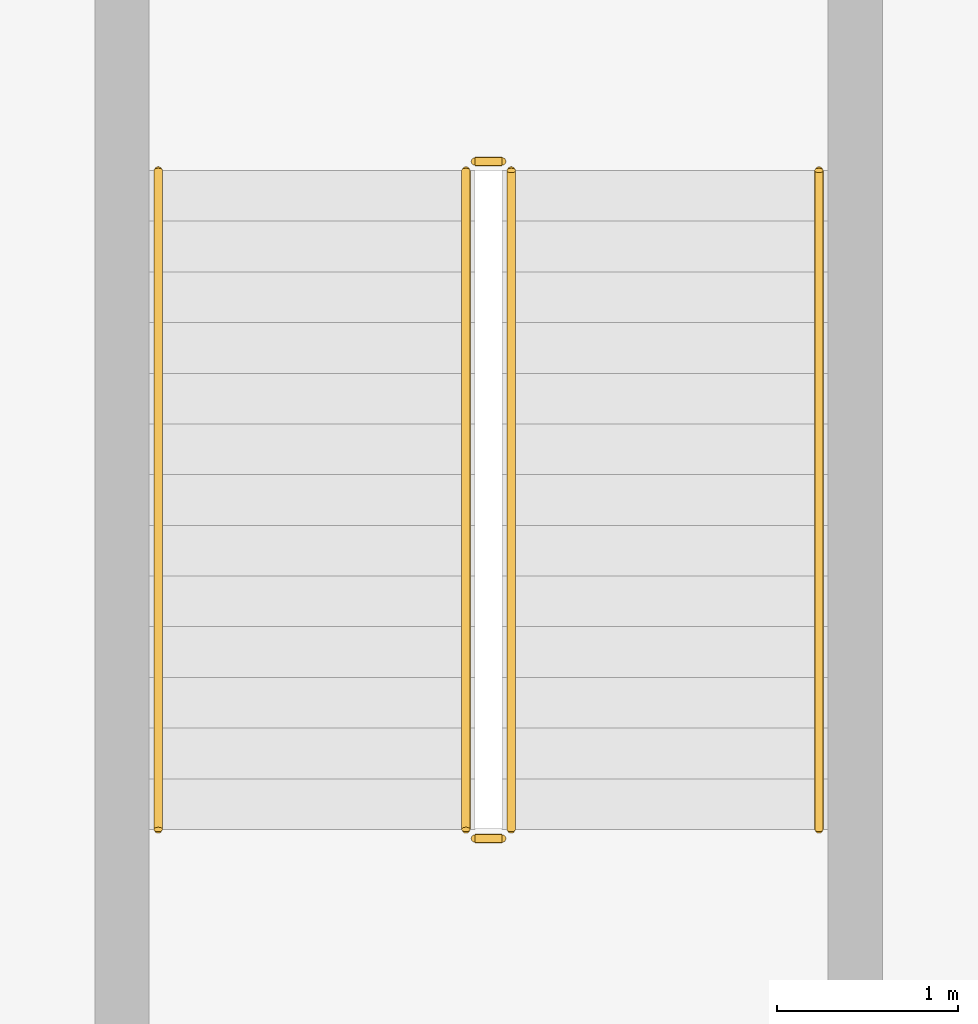
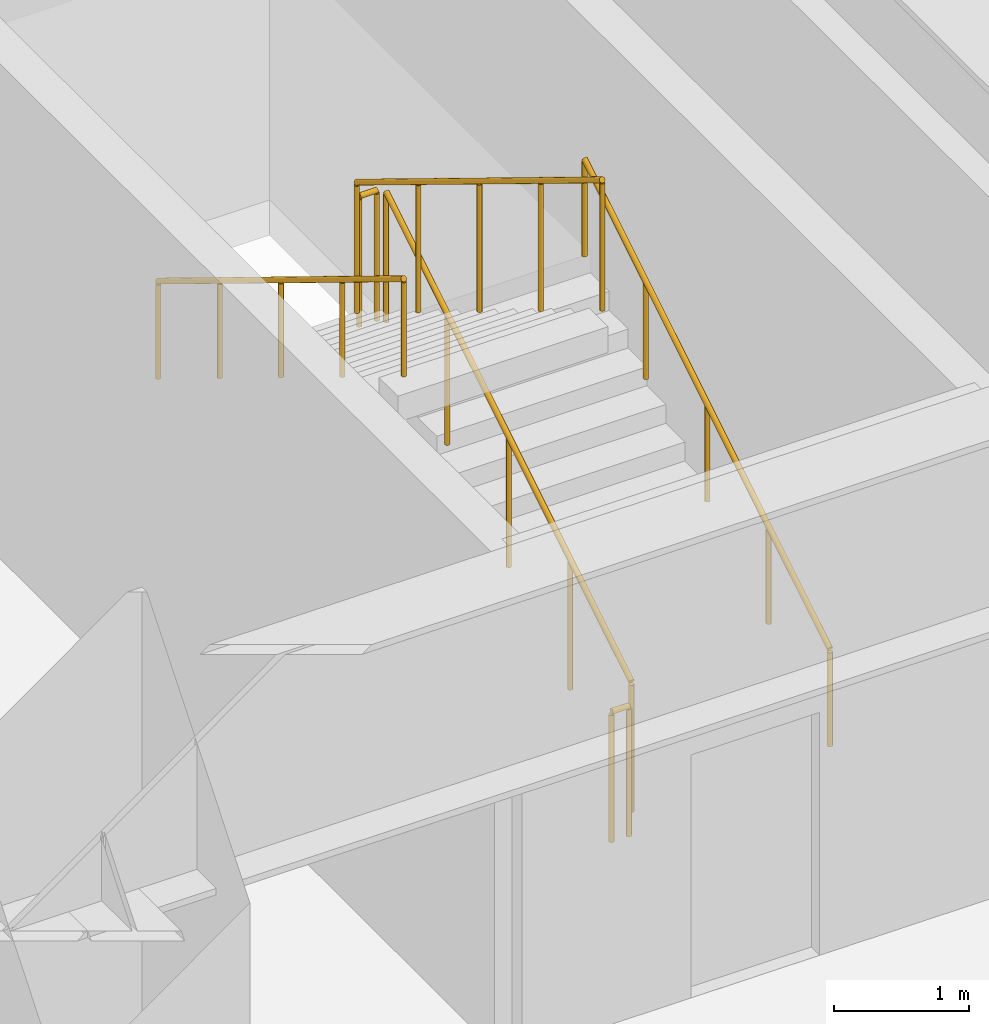
# One storey, part 12 of 13: 6 railings.
"""IFC4 building model written with IfcOpenShell, lengths in metres."""

from ifc_helpers import new_model, si_unit, direction, frame, origin, origin_2d, place, context, subcontext, project, spatial, circle, extrude, source, transform, mapped, material, type_object, element, save


model = new_model("IFC4")

# Units and contexts
model_context = context("Model", 3, precision=1e-05, world=origin(), true_north=direction((0.0, 1.0)))
body_context = subcontext(model_context, "Body", "Model", "MODEL_VIEW")
ifc_project = project(units=[si_unit("LENGTHUNIT", "METRE"), si_unit("AREAUNIT", "SQUARE_METRE"), si_unit("VOLUMEUNIT", "CUBIC_METRE"), si_unit("PLANEANGLEUNIT", "RADIAN"), si_unit("MASSUNIT", "GRAM", prefix="KILO")], contexts=[model_context])

# Site, building, storey
site_placement = place(None, origin())
site = spatial("IfcSite", under=ifc_project, at=site_placement, CompositionType="ELEMENT")
building_placement = place(site_placement, origin())
building = spatial("IfcBuilding", under=site, at=building_placement, Name="Khorayat Bourse Tower", CompositionType="ELEMENT")
storey_placement = place(building_placement, frame((0.0, 0.0, -4.800048828125)))
storey = spatial("IfcBuildingStorey", under=building, at=storey_placement, Name="B01", CompositionType="ELEMENT", Elevation=-4.800048828125)

# Railings
ifc_material_1 = material(Name="Powder-coated steel balustrade", Category="steel")
railing_type_1 = type_object("IfcRailingType", Name="RLG-GUARD-1200", PredefinedType="GUARDRAIL", material=ifc_material_1)
shared_shape_1 = source(origin(), body_context, "Body", "SweptSolid", [
    extrude(circle(Radius=0.02392578125, at=origin_2d()), frame((0.0, 0.0, 1.17578125), z_axis=(-1.0, 0.0, 0.0), x_axis=(0.0, -1.0, 0.0)), (0.0, 0.0, 1.0), 0.14990234375),
    extrude(circle(Radius=0.02099609375, at=origin_2d()), origin(), (0.0, 0.0, 1.0), 1.15185546875),
    extrude(circle(Radius=0.02099609375, at=origin_2d()), frame((-0.14990234375, 0.0, 0.0)), (0.0, 0.0, 1.0), 1.15185546875),
])
for number, where, name in (
    (1, (27.75, -18.110107421875, 2.400146484375), "B01 ST-P2 stair guard 2"),
    (2, (27.75, -21.85009765625, 0.0), "B01 ST-P2 stair guard 4"),
):
    element("IfcRailing", number, at=place(storey_placement, frame(where)), inside=storey, type_object=railing_type_1, Name=name, PredefinedType="GUARDRAIL", context=body_context, shape_type="MappedRepresentation", body=[
        mapped(shared_shape_1, transform((0.0, 0.0, 0.0), scale=1.0)),
    ])
shared_shape_2 = source(origin(), body_context, "Body", "SweptSolid", [
    extrude(circle(Radius=0.02392578125, at=origin_2d()), frame((0.0, 0.0, 1.17578125), z_axis=(0.0, -0.852865859571, 0.52213008492), x_axis=(1.0, 0.0, 0.0)), (0.0, 0.0, 1.0), 4.26806640625),
    extrude(circle(Radius=0.02099609375, at=origin_2d()), origin(), (0.0, 0.0, 1.0), 1.15185546875),
    extrude(circle(Radius=0.02099609375, at=origin_2d()), frame((0.0, -0.91015625, 0.55712890625)), (0.0, 0.0, 1.0), 1.15185546875),
    extrude(circle(Radius=0.02099609375, at=origin_2d()), frame((0.0, -1.820068359375, 1.1142578125)), (0.0, 0.0, 1.0), 1.15185546875),
    extrude(circle(Radius=0.02099609375, at=origin_2d()), frame((0.0, -2.72998046875, 1.67138671875)), (0.0, 0.0, 1.0), 1.15185546875),
    extrude(circle(Radius=0.02099609375, at=origin_2d()), frame((0.0, -3.64013671875, 2.228515625)), (0.0, 0.0, 1.0), 1.15185546875),
])
railing_1_placement = place(storey_placement, frame((27.550048828125, -18.159912109375, 2.571533203125)))
element("IfcRailing", 3, at=railing_1_placement, inside=storey, type_object=railing_type_1, Name="B01 ST-P2 stair guard 3", PredefinedType="GUARDRAIL", context=body_context, shape_type="MappedRepresentation", body=[
    mapped(shared_shape_2, transform((0.0, 0.0, 0.0), scale=1.0)),
])
ifc_material_2 = material(Name="Brushed bronze stainless-steel handrail", Category="steel")
railing_type_2 = type_object("IfcRailingType", Name="RLG-HAND-900", PredefinedType="HANDRAIL", material=ifc_material_2)
shared_shape_3 = source(origin(), body_context, "Body", "SweptSolid", [
    extrude(circle(Radius=0.02392578125, at=origin_2d()), frame((0.0, 0.0, 0.8759765625), z_axis=(0.0, -0.852865859571, 0.52213008492), x_axis=(1.0, 0.0, 0.0)), (0.0, 0.0, 1.0), 4.26806640625),
    extrude(circle(Radius=0.02099609375, at=origin_2d()), origin(), (0.0, 0.0, 1.0), 0.851806640625),
    extrude(circle(Radius=0.02099609375, at=origin_2d()), frame((0.0, -0.91015625, 0.55712890625)), (0.0, 0.0, 1.0), 0.851806640625),
    extrude(circle(Radius=0.02099609375, at=origin_2d()), frame((0.0, -1.820068359375, 1.1142578125)), (0.0, 0.0, 1.0), 0.851806640625),
    extrude(circle(Radius=0.02099609375, at=origin_2d()), frame((0.0, -2.72998046875, 1.67138671875)), (0.0, 0.0, 1.0), 0.851806640625),
    extrude(circle(Radius=0.02099609375, at=origin_2d()), frame((0.0, -3.64013671875, 2.228515625)), (0.0, 0.0, 1.0), 0.851806640625),
])
railing_2_placement = place(storey_placement, frame((25.85009765625, -18.159912109375, 2.571533203125)))
element("IfcRailing", 4, at=railing_2_placement, inside=storey, type_object=railing_type_2, Name="B01 ST-P2 stair handrail 2", PredefinedType="HANDRAIL", context=body_context, shape_type="MappedRepresentation", body=[
    mapped(shared_shape_3, transform((0.0, 0.0, 0.0), scale=1.0)),
])
shared_shape_4 = source(origin(), body_context, "Body", "SweptSolid", [
    extrude(circle(Radius=0.02392578125, at=origin_2d()), frame((0.0, 0.0, 1.17578125), z_axis=(0.0, 0.852840387347, 0.522171689878), x_axis=(-1.0, 0.0, 0.0)), (0.0, 0.0, 1.0), 4.268310546875),
    extrude(circle(Radius=0.02099609375, at=origin_2d()), origin(), (0.0, 0.0, 1.0), 1.15185546875),
    extrude(circle(Radius=0.02099609375, at=origin_2d()), frame((0.0, 0.91015625, 0.55712890625)), (0.0, 0.0, 1.0), 1.15185546875),
    extrude(circle(Radius=0.02099609375, at=origin_2d()), frame((0.0, 1.820068359375, 1.1142578125)), (0.0, 0.0, 1.0), 1.15185546875),
    extrude(circle(Radius=0.02099609375, at=origin_2d()), frame((0.0, 2.72998046875, 1.671630859375)), (0.0, 0.0, 1.0), 1.15185546875),
    extrude(circle(Radius=0.02099609375, at=origin_2d()), frame((0.0, 3.64013671875, 2.228759765625)), (0.0, 0.0, 1.0), 1.15185546875),
])
railing_3_placement = place(storey_placement, frame((27.800048828125, -21.800048828125, 0.17138671875)))
element("IfcRailing", 5, at=railing_3_placement, inside=storey, type_object=railing_type_1, Name="B01 ST-P2 stair guard 1", PredefinedType="GUARDRAIL", context=body_context, shape_type="MappedRepresentation", body=[
    mapped(shared_shape_4, transform((0.0, 0.0, 0.0), scale=1.0)),
])
shared_shape_5 = source(origin(), body_context, "Body", "SweptSolid", [
    extrude(circle(Radius=0.02392578125, at=origin_2d()), frame((0.0, 0.0, 0.8759765625), z_axis=(0.0, 0.852840387347, 0.522171689878), x_axis=(-1.0, 0.0, 0.0)), (0.0, 0.0, 1.0), 4.268310546875),
    extrude(circle(Radius=0.02099609375, at=origin_2d()), origin(), (0.0, 0.0, 1.0), 0.851806640625),
    extrude(circle(Radius=0.02099609375, at=origin_2d()), frame((0.0, 0.91015625, 0.55712890625)), (0.0, 0.0, 1.0), 0.851806640625),
    extrude(circle(Radius=0.02099609375, at=origin_2d()), frame((0.0, 1.820068359375, 1.1142578125)), (0.0, 0.0, 1.0), 0.851806640625),
    extrude(circle(Radius=0.02099609375, at=origin_2d()), frame((0.0, 2.72998046875, 1.671630859375)), (0.0, 0.0, 1.0), 0.851806640625),
    extrude(circle(Radius=0.02099609375, at=origin_2d()), frame((0.0, 3.64013671875, 2.228759765625)), (0.0, 0.0, 1.0), 0.851806640625),
])
railing_4_placement = place(storey_placement, frame((29.5, -21.800048828125, 0.17138671875)))
element("IfcRailing", 6, at=railing_4_placement, inside=storey, type_object=railing_type_2, Name="B01 ST-P2 stair handrail 1", PredefinedType="HANDRAIL", context=body_context, shape_type="MappedRepresentation", body=[
    mapped(shared_shape_5, transform((0.0, 0.0, 0.0), scale=1.0)),
])

save(model, "model.ifc")
